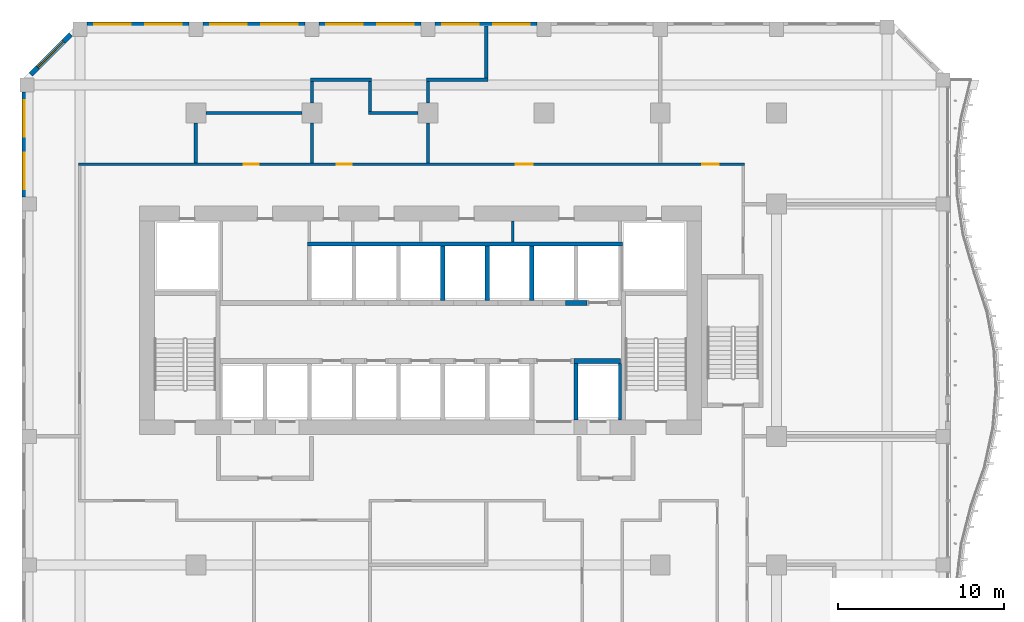
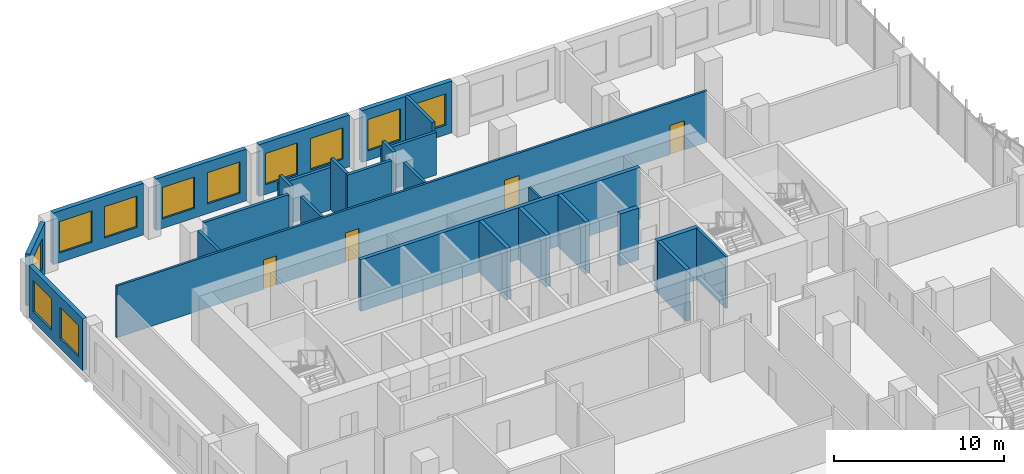
# One storey, part 16 of 26: 27 walls, 11 windows, 4 doors, 15 openings.
"""IFC4 building model written with IfcOpenShell, lengths in metres."""

from ifc_helpers import new_model, si_unit, direction, frame, frame_2d, origin, place, context, subcontext, project, spatial, rectangle, extrude, source, transform, mapped, material, layer, layer_set, type_object, element, fill, save


model = new_model("IFC4")

# Units and contexts
model_context = context("Model", 3, precision=1e-05, world=origin(), true_north=direction((0.0, 1.0)))
body_context = subcontext(model_context, "Body", "Model", "MODEL_VIEW")
ifc_project = project(units=[si_unit("LENGTHUNIT", "METRE"), si_unit("AREAUNIT", "SQUARE_METRE"), si_unit("VOLUMEUNIT", "CUBIC_METRE"), si_unit("PLANEANGLEUNIT", "RADIAN"), si_unit("MASSUNIT", "GRAM", prefix="KILO")], contexts=[model_context])

# Site, building, storey
site_placement = place(None, origin())
site = spatial("IfcSite", under=ifc_project, at=site_placement, CompositionType="ELEMENT")
building_placement = place(site_placement, origin())
building = spatial("IfcBuilding", under=site, at=building_placement, Name="Kilnfold Tower and Market Hall", CompositionType="ELEMENT")
storey_placement = place(building_placement, frame((0.0, 0.0, 104.60009765625)))
storey = spatial("IfcBuildingStorey", under=building, at=storey_placement, Name="L24", CompositionType="ELEMENT", Elevation=104.60009765625)

# Wall, openings, doors
ifc_material_1 = material(Name="Gypsum board on steel studs", Category="steel")
ifc_layer_1 = layer(ifc_material_1, 0.14990234375)
ifc_layer_set_1 = layer_set([ifc_layer_1], Name="Gypsum board on steel studs")
wall_type_1 = type_object("IfcWallType", Name="WALL CORRIDOR 150", PredefinedType="PARTITIONING", material=ifc_layer_set_1)
wall_1_placement = place(storey_placement, frame((-19.574951171875, 24.39990234375, 0.0), z_axis=(0.0, 0.0, 1.0), x_axis=(1.0, 0.0, 0.0)))
wall_1 = element("IfcWall", 1, at=wall_1_placement, inside=storey, type_object=wall_type_1, Name="Partition LY16.35", PredefinedType="PARTITIONING", context=body_context, shape_type="SweptSolid", body=[
    extrude(rectangle(XDim=40.14990234375, YDim=0.14990234375, at=frame_2d((20.074951171875, 0.0))), origin(), (0.0, 0.0, 1.0), 3.719970703125),
])
opening_1_placement = place(wall_1_placement, frame((9.97412109375, 0.0, 0.0)))
opening_1 = element("IfcOpeningElement", 2, at=opening_1_placement, cuts=wall_1, Name="Opening D2", PredefinedType="OPENING", context=body_context, shape_type="SweptSolid", body=[
    extrude(rectangle(XDim=0.89990234375, YDim=2.10009765625, at=frame_2d((0.449951171875, 1.050048828125))), frame((0.0, 0.0849609375, 0.0), z_axis=(0.0, -1.0, 0.0), x_axis=(1.0, 0.0, 0.0)), (0.0, 0.0, 1.0), 0.169921875),
])
opening_2_placement = place(wall_1_placement, frame((15.570068359375, 0.0, 0.0)))
opening_2 = element("IfcOpeningElement", 3, at=opening_2_placement, cuts=wall_1, Name="Opening D3", PredefinedType="OPENING", context=body_context, shape_type="SweptSolid", body=[
    extrude(rectangle(XDim=0.89990234375, YDim=2.10009765625, at=frame_2d((0.449951171875, 1.050048828125))), frame((0.0, 0.0849609375, 0.0), z_axis=(0.0, -1.0, 0.0), x_axis=(1.0, 0.0, 0.0)), (0.0, 0.0, 1.0), 0.169921875),
])
opening_3_placement = place(wall_1_placement, frame((26.373046875, 0.0, 0.0)))
opening_3 = element("IfcOpeningElement", 4, at=opening_3_placement, cuts=wall_1, Name="Opening D1", PredefinedType="OPENING", context=body_context, shape_type="SweptSolid", body=[
    extrude(rectangle(XDim=1.0, YDim=2.10009765625, at=frame_2d((0.5, 1.050048828125))), frame((0.0, 0.0849609375, 0.0), z_axis=(0.0, -1.0, 0.0), x_axis=(1.0, 0.0, 0.0)), (0.0, 0.0, 1.0), 0.169921875),
])
opening_4_placement = place(wall_1_placement, frame((37.618896484375, 0.0, 0.0)))
opening_4 = element("IfcOpeningElement", 5, at=opening_4_placement, cuts=wall_1, Name="Opening D1", PredefinedType="OPENING", context=body_context, shape_type="SweptSolid", body=[
    extrude(rectangle(XDim=1.0, YDim=2.10009765625, at=frame_2d((0.5, 1.050048828125))), frame((0.0, 0.0849609375, 0.0), z_axis=(0.0, -1.0, 0.0), x_axis=(1.0, 0.0, 0.0)), (0.0, 0.0, 1.0), 0.169921875),
])
ifc_material_2 = material(Name="Timber veneer door leaf in steel frame", Category="steel")
door_type_1 = type_object("IfcDoorType", Name="DOOR ENTRY 1000 X2100", OperationType="NOTDEFINED", PredefinedType="DOOR", material=ifc_material_2)
door_1_placement = place(opening_3_placement, origin())
door_1 = element("IfcDoor", 6, at=door_1_placement, inside=storey, type_object=door_type_1, Name="Door D1", OperationType="SINGLE_SWING_RIGHT", OverallHeight=2.10009765625, OverallWidth=1.0, PredefinedType="DOOR", context=body_context, shape_type="SweptSolid", body=[
    extrude(rectangle(XDim=1.0, YDim=2.10009765625, at=frame_2d((0.5, 1.050048828125))), frame((0.0, 0.02490234375, 0.0), z_axis=(0.0, -1.0, 0.0), x_axis=(1.0, 0.0, 0.0)), (0.0, 0.0, 1.0), 0.050048828125),
])
fill(opening_3, door_1)
door_2_placement = place(opening_4_placement, origin())
door_2 = element("IfcDoor", 7, at=door_2_placement, inside=storey, type_object=door_type_1, Name="Door D1", OperationType="SINGLE_SWING_RIGHT", OverallHeight=2.10009765625, OverallWidth=1.0, PredefinedType="DOOR", context=body_context, shape_type="SweptSolid", body=[
    extrude(rectangle(XDim=1.0, YDim=2.10009765625, at=frame_2d((0.5, 1.050048828125))), frame((0.0, 0.02490234375, 0.0), z_axis=(0.0, -1.0, 0.0), x_axis=(1.0, 0.0, 0.0)), (0.0, 0.0, 1.0), 0.050048828125),
])
fill(opening_4, door_2)
ifc_material_3 = material(Name="Timber veneer door leaf in steel frame", Category="steel")
door_type_2 = type_object("IfcDoorType", Name="DOOR ROOM 900 X2100", OperationType="NOTDEFINED", PredefinedType="DOOR", material=ifc_material_3)
door_3_placement = place(opening_1_placement, origin())
door_3 = element("IfcDoor", 8, at=door_3_placement, inside=storey, type_object=door_type_2, Name="Door D2", OperationType="SINGLE_SWING_LEFT", OverallHeight=2.10009765625, OverallWidth=0.89990234375, PredefinedType="DOOR", context=body_context, shape_type="SweptSolid", body=[
    extrude(rectangle(XDim=0.89990234375, YDim=2.10009765625, at=frame_2d((0.449951171875, 1.050048828125))), frame((0.0, 0.02490234375, 0.0), z_axis=(0.0, -1.0, 0.0), x_axis=(1.0, 0.0, 0.0)), (0.0, 0.0, 1.0), 0.050048828125),
])
fill(opening_1, door_3)
ifc_material_4 = material(Name="Timber veneer door leaf in steel frame", Category="steel")
door_type_3 = type_object("IfcDoorType", Name="DOOR WC 900 X2100", OperationType="NOTDEFINED", PredefinedType="DOOR", material=ifc_material_4)
door_4_placement = place(opening_2_placement, origin())
door_4 = element("IfcDoor", 9, at=door_4_placement, inside=storey, type_object=door_type_3, Name="Door D3", OperationType="SINGLE_SWING_LEFT", OverallHeight=2.10009765625, OverallWidth=0.89990234375, PredefinedType="DOOR", context=body_context, shape_type="SweptSolid", body=[
    extrude(rectangle(XDim=0.89990234375, YDim=2.10009765625, at=frame_2d((0.449951171875, 1.050048828125))), frame((0.0, 0.02490234375, 0.0), z_axis=(0.0, -1.0, 0.0), x_axis=(1.0, 0.0, 0.0)), (0.0, 0.0, 1.0), 0.050048828125),
])
fill(opening_2, door_4)

# Walls
ifc_material_5 = material(Name="Gypsum board on steel studs", Category="steel")
ifc_layer_2 = layer(ifc_material_5, 0.199951171875)
ifc_layer_set_2 = layer_set([ifc_layer_2], Name="Gypsum board on steel studs")
wall_type_2 = type_object("IfcWallType", Name="WALL PARTY 200", PredefinedType="PARTITIONING", material=ifc_layer_set_2)
wall_2_placement = place(storey_placement, frame((1.5, 24.47607421875, 0.0), z_axis=(0.0, 0.0, 1.0), x_axis=(0.0, 1.0, 0.0)))
element("IfcWall", 10, at=wall_2_placement, inside=storey, type_object=wall_type_2, Name="Partition LY16.63", PredefinedType="PARTITIONING", context=body_context, shape_type="SweptSolid", body=[
    extrude(rectangle(XDim=2.423828125, YDim=0.199951171875, at=frame_2d((1.2119140625, 0.0))), origin(), (0.0, 0.0, 1.0), 3.719970703125),
])
wall_3_placement = place(storey_placement, frame((1.5, 28.10009765625, 0.0), z_axis=(0.0, 0.0, 1.0), x_axis=(0.0, 1.0, 0.0)))
element("IfcWall", 11, at=wall_3_placement, inside=storey, type_object=wall_type_2, Name="Partition LY16.64", PredefinedType="PARTITIONING", context=body_context, shape_type="SweptSolid", body=[
    extrude(rectangle(XDim=1.2998046875, YDim=0.199951171875, at=frame_2d((0.64990234375, 0.0))), origin(), (0.0, 0.0, 1.0), 3.719970703125),
])
wall_4_placement = place(storey_placement, frame((1.39990234375, 29.5, 0.0), z_axis=(0.0, 0.0, 1.0), x_axis=(1.0, 0.0, 0.0)))
element("IfcWall", 12, at=wall_4_placement, inside=storey, type_object=wall_type_2, Name="Partition LY16.65", PredefinedType="PARTITIONING", context=body_context, shape_type="SweptSolid", body=[
    extrude(rectangle(XDim=3.7001953125, YDim=0.199951171875, at=frame_2d((1.85009765625, 0.0))), origin(), (0.0, 0.0, 1.0), 3.06982421875),
])
wall_5_placement = place(storey_placement, frame((5.0, 29.60009765625, 0.0), z_axis=(0.0, 0.0, 1.0), x_axis=(0.0, 1.0, 0.0)))
element("IfcWall", 13, at=wall_5_placement, inside=storey, type_object=wall_type_2, Name="Partition LY16.66", PredefinedType="PARTITIONING", context=body_context, shape_type="SweptSolid", body=[
    extrude(rectangle(XDim=3.14990234375, YDim=0.199951171875, at=frame_2d((1.574951171875, 0.0))), origin(), (0.0, 0.0, 1.0), 3.719970703125),
])
wall_6_placement = place(storey_placement, frame((-5.5, 24.47607421875, 0.0), z_axis=(0.0, 0.0, 1.0), x_axis=(0.0, 1.0, 0.0)))
element("IfcWall", 14, at=wall_6_placement, inside=storey, type_object=wall_type_2, Name="Partition LY16.67", PredefinedType="PARTITIONING", context=body_context, shape_type="SweptSolid", body=[
    extrude(rectangle(XDim=2.423828125, YDim=0.199951171875, at=frame_2d((1.2119140625, 0.0))), origin(), (0.0, 0.0, 1.0), 3.719970703125),
])
wall_7_placement = place(storey_placement, frame((-2.10009765625, 27.5, 0.0), z_axis=(0.0, 0.0, 1.0), x_axis=(1.0, 0.0, 0.0)))
element("IfcWall", 15, at=wall_7_placement, inside=storey, type_object=wall_type_2, Name="Partition LY16.68", PredefinedType="PARTITIONING", context=body_context, shape_type="SweptSolid", body=[
    extrude(rectangle(XDim=3.0, YDim=0.199951171875, at=frame_2d((1.5, 0.0))), origin(), (0.0, 0.0, 1.0), 3.719970703125),
])
wall_8_placement = place(storey_placement, frame((-5.5, 28.10009765625, 0.0), z_axis=(0.0, 0.0, 1.0), x_axis=(0.0, 1.0, 0.0)))
element("IfcWall", 16, at=wall_8_placement, inside=storey, type_object=wall_type_2, Name="Partition LY16.69", PredefinedType="PARTITIONING", context=body_context, shape_type="SweptSolid", body=[
    extrude(rectangle(XDim=1.2998046875, YDim=0.199951171875, at=frame_2d((0.64990234375, 0.0))), origin(), (0.0, 0.0, 1.0), 3.719970703125),
])
wall_9_placement = place(storey_placement, frame((-5.60009765625, 29.5, 0.0), z_axis=(0.0, 0.0, 1.0), x_axis=(1.0, 0.0, 0.0)))
element("IfcWall", 17, at=wall_9_placement, inside=storey, type_object=wall_type_2, Name="Partition LY16.70", PredefinedType="PARTITIONING", context=body_context, shape_type="SweptSolid", body=[
    extrude(rectangle(XDim=3.7001953125, YDim=0.199951171875, at=frame_2d((1.85009765625, 0.0))), origin(), (0.0, 0.0, 1.0), 3.06982421875),
])
wall_10_placement = place(storey_placement, frame((-2.0, 27.60009765625, 0.0), z_axis=(0.0, 0.0, 1.0), x_axis=(0.0, 1.0, 0.0)))
element("IfcWall", 18, at=wall_10_placement, inside=storey, type_object=wall_type_2, Name="Partition LY16.71", PredefinedType="PARTITIONING", context=body_context, shape_type="SweptSolid", body=[
    extrude(rectangle(XDim=1.7998046875, YDim=0.199951171875, at=frame_2d((0.89990234375, 0.0))), origin(), (0.0, 0.0, 1.0), 3.719970703125),
])
wall_11_placement = place(storey_placement, frame((-12.5, 26.89990234375, 0.0), z_axis=(0.0, 0.0, 1.0), x_axis=(0.0, -1.0, 0.0)))
element("IfcWall", 19, at=wall_11_placement, inside=storey, type_object=wall_type_2, Name="Partition LY16.72", PredefinedType="PARTITIONING", context=body_context, shape_type="SweptSolid", body=[
    extrude(rectangle(XDim=2.423828125, YDim=0.199951171875, at=frame_2d((1.2119140625, 0.0))), origin(), (0.0, 0.0, 1.0), 3.719970703125),
])
wall_12_placement = place(storey_placement, frame((-11.89990234375, 27.5, 0.0), z_axis=(0.0, 0.0, 1.0), x_axis=(1.0, 0.0, 0.0)))
element("IfcWall", 20, at=wall_12_placement, inside=storey, type_object=wall_type_2, Name="Partition LY16.73", PredefinedType="PARTITIONING", context=body_context, shape_type="SweptSolid", body=[
    extrude(rectangle(XDim=5.7998046875, YDim=0.199951171875, at=frame_2d((2.89990234375, 0.0))), origin(), (0.0, 0.0, 1.0), 3.719970703125),
])
ifc_material_6 = material(Name="Concrete C70", Category="concrete")
ifc_layer_3 = layer(ifc_material_6, 0.300048828125)
ifc_layer_set_3 = layer_set([ifc_layer_3], Name="Concrete C70")
wall_type_3 = type_object("IfcWallType", Name="CORE WALL 300 C70", PredefinedType="SHEAR", material=ifc_layer_set_3)
shared_shape_1 = source(origin(), body_context, "Body", "SweptSolid", [
    extrude(rectangle(XDim=1.280029296875, YDim=0.300048828125, at=frame_2d((0.64013671875, 0.0))), origin(), (0.0, 0.0, 1.0), 3.719970703125),
])
wall_13_placement = place(storey_placement, frame((9.7900390625, 16.050048828125, 0.0), z_axis=(0.0, 0.0, 1.0), x_axis=(1.0, 0.0, 0.0)))
element("IfcWall", 21, at=wall_13_placement, inside=storey, type_object=wall_type_3, Name="Core spine wall", PredefinedType="SHEAR", context=body_context, shape_type="MappedRepresentation", body=[
    mapped(shared_shape_1, transform((0.0, 0.0, 0.0))),
])
shared_shape_2 = source(origin(), body_context, "Body", "SweptSolid", [
    extrude(rectangle(XDim=2.820068359375, YDim=0.300048828125, at=frame_2d((1.41015625, 0.0))), origin(), (0.0, 0.0, 1.0), 3.719970703125),
])
wall_14_placement = place(storey_placement, frame((10.2900390625, 12.550048828125, 0.0), z_axis=(0.0, 0.0, 1.0), x_axis=(1.0, 0.0, 0.0)))
element("IfcWall", 22, at=wall_14_placement, inside=storey, type_object=wall_type_3, Name="Core spine wall", PredefinedType="SHEAR", context=body_context, shape_type="MappedRepresentation", body=[
    mapped(shared_shape_2, transform((0.0, 0.0, 0.0))),
])

# Wall, opening, window
ifc_material_7 = material(Name="Precast concrete C50/60", Category="concrete")
ifc_layer_4 = layer(ifc_material_7, 0.300048828125)
ifc_layer_set_4 = layer_set([ifc_layer_4], Name="Precast concrete C50/60")
wall_type_4 = type_object("IfcWallType", Name="PRECAST WALL 300", PredefinedType="SOLIDWALL", material=ifc_layer_set_4)
shared_shape_3 = source(origin(), body_context, "Body", "SweptSolid", [
    extrude(rectangle(XDim=3.429443359375, YDim=0.300048828125, at=frame_2d((1.71484375, 0.0))), origin(), (0.0, 0.0, 1.0), 3.719970703125),
])
wall_15_placement = place(storey_placement, frame((-20.0439453125, 32.243896484375, 0.0), z_axis=(0.0, 0.0, 1.0), x_axis=(-0.707106781187, -0.707106781187, 0.0)))
wall_15 = element("IfcWall", 23, at=wall_15_placement, inside=storey, type_object=wall_type_4, Name="External wall L24 NW", PredefinedType="SOLIDWALL", context=body_context, shape_type="MappedRepresentation", body=[
    mapped(shared_shape_3, transform((0.0, 0.0, 0.0))),
])
opening_5_placement = place(wall_15_placement, frame((0.61474609375, 0.0, 0.699951171875)))
opening_5 = element("IfcOpeningElement", 24, at=opening_5_placement, cuts=wall_15, Name="Opening W1", PredefinedType="OPENING", context=body_context, shape_type="SweptSolid", body=[
    extrude(rectangle(XDim=2.199951171875, YDim=2.25, at=frame_2d((1.10009765625, 1.125))), frame((0.0, 0.16015625, 0.0), z_axis=(0.0, -1.0, 0.0), x_axis=(1.0, 0.0, 0.0)), (0.0, 0.0, 1.0), 0.320068359375),
])
ifc_material_8 = material(Name="Aluminium frame and double glazing", Category="aluminium")
window_type = type_object("IfcWindowType", Name="WINDOW W1 2200X2250", PartitioningType="SINGLE_PANEL", PredefinedType="WINDOW", material=ifc_material_8)
window_1_placement = place(opening_5_placement, origin())
window_1 = element("IfcWindow", 25, at=window_1_placement, inside=storey, type_object=window_type, Name="Window W1 L24 NW-1", OverallHeight=2.25, OverallWidth=2.199951171875, PartitioningType="SINGLE_PANEL", PredefinedType="WINDOW", context=body_context, shape_type="SweptSolid", body=[
    extrude(rectangle(XDim=2.199951171875, YDim=2.25, at=frame_2d((1.10009765625, 1.125))), frame((0.0, 0.030029296875, 0.0), z_axis=(0.0, -1.0, 0.0), x_axis=(1.0, 0.0, 0.0)), (0.0, 0.0, 1.0), 0.06005859375),
])
fill(opening_5, window_1)

# Wall, openings, windows
shared_shape_4 = source(origin(), body_context, "Body", "SweptSolid", [
    extrude(rectangle(XDim=6.14990234375, YDim=0.300048828125, at=frame_2d((3.074951171875, 0.0))), origin(), (0.0, 0.0, 1.0), 3.719970703125),
])
wall_16_placement = place(storey_placement, frame((8.074951171875, 32.85009765625, 0.0), z_axis=(0.0, 0.0, 1.0), x_axis=(-1.0, 0.0, 0.0)))
wall_16 = element("IfcWall", 26, at=wall_16_placement, inside=storey, type_object=wall_type_4, Name="External wall L24 N", PredefinedType="SOLIDWALL", context=body_context, shape_type="MappedRepresentation", body=[
    mapped(shared_shape_4, transform((0.0, 0.0, 0.0))),
])
opening_6_placement = place(wall_16_placement, frame((0.4375, 0.0, 0.699951171875)))
opening_6 = element("IfcOpeningElement", 27, at=opening_6_placement, cuts=wall_16, Name="Opening W1", PredefinedType="OPENING", context=body_context, shape_type="SweptSolid", body=[
    extrude(rectangle(XDim=2.199951171875, YDim=2.25, at=frame_2d((1.10009765625, 1.125))), frame((0.0, 0.16015625, 0.0), z_axis=(0.0, -1.0, 0.0), x_axis=(1.0, 0.0, 0.0)), (0.0, 0.0, 1.0), 0.320068359375),
])
opening_7_placement = place(wall_16_placement, frame((3.512451171875, 0.0, 0.699951171875)))
opening_7 = element("IfcOpeningElement", 28, at=opening_7_placement, cuts=wall_16, Name="Opening W1", PredefinedType="OPENING", context=body_context, shape_type="SweptSolid", body=[
    extrude(rectangle(XDim=2.199951171875, YDim=2.25, at=frame_2d((1.10009765625, 1.125))), frame((0.0, 0.16015625, 0.0), z_axis=(0.0, -1.0, 0.0), x_axis=(1.0, 0.0, 0.0)), (0.0, 0.0, 1.0), 0.320068359375),
])
window_2_placement = place(opening_6_placement, origin())
window_2 = element("IfcWindow", 29, at=window_2_placement, inside=storey, type_object=window_type, Name="Window W1 L24 N-1", OverallHeight=2.25, OverallWidth=2.199951171875, PartitioningType="SINGLE_PANEL", PredefinedType="WINDOW", context=body_context, shape_type="SweptSolid", body=[
    extrude(rectangle(XDim=2.199951171875, YDim=2.25, at=frame_2d((1.10009765625, 1.125))), frame((0.0, 0.030029296875, 0.0), z_axis=(0.0, -1.0, 0.0), x_axis=(1.0, 0.0, 0.0)), (0.0, 0.0, 1.0), 0.06005859375),
])
fill(opening_6, window_2)
window_3_placement = place(opening_7_placement, origin())
window_3 = element("IfcWindow", 30, at=window_3_placement, inside=storey, type_object=window_type, Name="Window W1 L24 N-2", OverallHeight=2.25, OverallWidth=2.199951171875, PartitioningType="SINGLE_PANEL", PredefinedType="WINDOW", context=body_context, shape_type="SweptSolid", body=[
    extrude(rectangle(XDim=2.199951171875, YDim=2.25, at=frame_2d((1.10009765625, 1.125))), frame((0.0, 0.030029296875, 0.0), z_axis=(0.0, -1.0, 0.0), x_axis=(1.0, 0.0, 0.0)), (0.0, 0.0, 1.0), 0.06005859375),
])
fill(opening_7, window_3)

wall_17_placement = place(storey_placement, frame((1.074951171875, 32.85009765625, 0.0), z_axis=(0.0, 0.0, 1.0), x_axis=(-1.0, 0.0, 0.0)))
wall_17 = element("IfcWall", 31, at=wall_17_placement, inside=storey, type_object=wall_type_4, Name="External wall L24 N", PredefinedType="SOLIDWALL", context=body_context, shape_type="MappedRepresentation", body=[
    mapped(shared_shape_4, transform((0.0, 0.0, 0.0))),
])
opening_8_placement = place(wall_17_placement, frame((0.4375, 0.0, 0.699951171875)))
opening_8 = element("IfcOpeningElement", 32, at=opening_8_placement, cuts=wall_17, Name="Opening W1", PredefinedType="OPENING", context=body_context, shape_type="SweptSolid", body=[
    extrude(rectangle(XDim=2.199951171875, YDim=2.25, at=frame_2d((1.10009765625, 1.125))), frame((0.0, 0.16015625, 0.0), z_axis=(0.0, -1.0, 0.0), x_axis=(1.0, 0.0, 0.0)), (0.0, 0.0, 1.0), 0.320068359375),
])
opening_9_placement = place(wall_17_placement, frame((3.512451171875, 0.0, 0.699951171875)))
opening_9 = element("IfcOpeningElement", 33, at=opening_9_placement, cuts=wall_17, Name="Opening W1", PredefinedType="OPENING", context=body_context, shape_type="SweptSolid", body=[
    extrude(rectangle(XDim=2.199951171875, YDim=2.25, at=frame_2d((1.10009765625, 1.125))), frame((0.0, 0.16015625, 0.0), z_axis=(0.0, -1.0, 0.0), x_axis=(1.0, 0.0, 0.0)), (0.0, 0.0, 1.0), 0.320068359375),
])
window_4_placement = place(opening_8_placement, origin())
window_4 = element("IfcWindow", 34, at=window_4_placement, inside=storey, type_object=window_type, Name="Window W1 L24 N-1", OverallHeight=2.25, OverallWidth=2.199951171875, PartitioningType="SINGLE_PANEL", PredefinedType="WINDOW", context=body_context, shape_type="SweptSolid", body=[
    extrude(rectangle(XDim=2.199951171875, YDim=2.25, at=frame_2d((1.10009765625, 1.125))), frame((0.0, 0.030029296875, 0.0), z_axis=(0.0, -1.0, 0.0), x_axis=(1.0, 0.0, 0.0)), (0.0, 0.0, 1.0), 0.06005859375),
])
fill(opening_8, window_4)
window_5_placement = place(opening_9_placement, origin())
window_5 = element("IfcWindow", 35, at=window_5_placement, inside=storey, type_object=window_type, Name="Window W1 L24 N-2", OverallHeight=2.25, OverallWidth=2.199951171875, PartitioningType="SINGLE_PANEL", PredefinedType="WINDOW", context=body_context, shape_type="SweptSolid", body=[
    extrude(rectangle(XDim=2.199951171875, YDim=2.25, at=frame_2d((1.10009765625, 1.125))), frame((0.0, 0.030029296875, 0.0), z_axis=(0.0, -1.0, 0.0), x_axis=(1.0, 0.0, 0.0)), (0.0, 0.0, 1.0), 0.06005859375),
])
fill(opening_9, window_5)

wall_18_placement = place(storey_placement, frame((-5.925048828125, 32.85009765625, 0.0), z_axis=(0.0, 0.0, 1.0), x_axis=(-1.0, 0.0, 0.0)))
wall_18 = element("IfcWall", 36, at=wall_18_placement, inside=storey, type_object=wall_type_4, Name="External wall L24 N", PredefinedType="SOLIDWALL", context=body_context, shape_type="MappedRepresentation", body=[
    mapped(shared_shape_4, transform((0.0, 0.0, 0.0))),
])
opening_10_placement = place(wall_18_placement, frame((0.4375, 0.0, 0.699951171875)))
opening_10 = element("IfcOpeningElement", 37, at=opening_10_placement, cuts=wall_18, Name="Opening W1", PredefinedType="OPENING", context=body_context, shape_type="SweptSolid", body=[
    extrude(rectangle(XDim=2.199951171875, YDim=2.25, at=frame_2d((1.10009765625, 1.125))), frame((0.0, 0.16015625, 0.0), z_axis=(0.0, -1.0, 0.0), x_axis=(1.0, 0.0, 0.0)), (0.0, 0.0, 1.0), 0.320068359375),
])
opening_11_placement = place(wall_18_placement, frame((3.512451171875, 0.0, 0.699951171875)))
opening_11 = element("IfcOpeningElement", 38, at=opening_11_placement, cuts=wall_18, Name="Opening W1", PredefinedType="OPENING", context=body_context, shape_type="SweptSolid", body=[
    extrude(rectangle(XDim=2.199951171875, YDim=2.25, at=frame_2d((1.10009765625, 1.125))), frame((0.0, 0.16015625, 0.0), z_axis=(0.0, -1.0, 0.0), x_axis=(1.0, 0.0, 0.0)), (0.0, 0.0, 1.0), 0.320068359375),
])
window_6_placement = place(opening_10_placement, origin())
window_6 = element("IfcWindow", 39, at=window_6_placement, inside=storey, type_object=window_type, Name="Window W1 L24 N-1", OverallHeight=2.25, OverallWidth=2.199951171875, PartitioningType="SINGLE_PANEL", PredefinedType="WINDOW", context=body_context, shape_type="SweptSolid", body=[
    extrude(rectangle(XDim=2.199951171875, YDim=2.25, at=frame_2d((1.10009765625, 1.125))), frame((0.0, 0.030029296875, 0.0), z_axis=(0.0, -1.0, 0.0), x_axis=(1.0, 0.0, 0.0)), (0.0, 0.0, 1.0), 0.06005859375),
])
fill(opening_10, window_6)
window_7_placement = place(opening_11_placement, origin())
window_7 = element("IfcWindow", 40, at=window_7_placement, inside=storey, type_object=window_type, Name="Window W1 L24 N-2", OverallHeight=2.25, OverallWidth=2.199951171875, PartitioningType="SINGLE_PANEL", PredefinedType="WINDOW", context=body_context, shape_type="SweptSolid", body=[
    extrude(rectangle(XDim=2.199951171875, YDim=2.25, at=frame_2d((1.10009765625, 1.125))), frame((0.0, 0.030029296875, 0.0), z_axis=(0.0, -1.0, 0.0), x_axis=(1.0, 0.0, 0.0)), (0.0, 0.0, 1.0), 0.06005859375),
])
fill(opening_11, window_7)

wall_19_placement = place(storey_placement, frame((-12.925048828125, 32.85009765625, 0.0), z_axis=(0.0, 0.0, 1.0), x_axis=(-1.0, 0.0, 0.0)))
wall_19 = element("IfcWall", 41, at=wall_19_placement, inside=storey, type_object=wall_type_4, Name="External wall L24 N", PredefinedType="SOLIDWALL", context=body_context, shape_type="MappedRepresentation", body=[
    mapped(shared_shape_4, transform((0.0, 0.0, 0.0))),
])
opening_12_placement = place(wall_19_placement, frame((0.4375, 0.0, 0.699951171875)))
opening_12 = element("IfcOpeningElement", 42, at=opening_12_placement, cuts=wall_19, Name="Opening W1", PredefinedType="OPENING", context=body_context, shape_type="SweptSolid", body=[
    extrude(rectangle(XDim=2.199951171875, YDim=2.25, at=frame_2d((1.10009765625, 1.125))), frame((0.0, 0.16015625, 0.0), z_axis=(0.0, -1.0, 0.0), x_axis=(1.0, 0.0, 0.0)), (0.0, 0.0, 1.0), 0.320068359375),
])
opening_13_placement = place(wall_19_placement, frame((3.512451171875, 0.0, 0.699951171875)))
opening_13 = element("IfcOpeningElement", 43, at=opening_13_placement, cuts=wall_19, Name="Opening W1", PredefinedType="OPENING", context=body_context, shape_type="SweptSolid", body=[
    extrude(rectangle(XDim=2.199951171875, YDim=2.25, at=frame_2d((1.10009765625, 1.125))), frame((0.0, 0.16015625, 0.0), z_axis=(0.0, -1.0, 0.0), x_axis=(1.0, 0.0, 0.0)), (0.0, 0.0, 1.0), 0.320068359375),
])
window_8_placement = place(opening_12_placement, origin())
window_8 = element("IfcWindow", 44, at=window_8_placement, inside=storey, type_object=window_type, Name="Window W1 L24 N-1", OverallHeight=2.25, OverallWidth=2.199951171875, PartitioningType="SINGLE_PANEL", PredefinedType="WINDOW", context=body_context, shape_type="SweptSolid", body=[
    extrude(rectangle(XDim=2.199951171875, YDim=2.25, at=frame_2d((1.10009765625, 1.125))), frame((0.0, 0.030029296875, 0.0), z_axis=(0.0, -1.0, 0.0), x_axis=(1.0, 0.0, 0.0)), (0.0, 0.0, 1.0), 0.06005859375),
])
fill(opening_12, window_8)
window_9_placement = place(opening_13_placement, origin())
window_9 = element("IfcWindow", 45, at=window_9_placement, inside=storey, type_object=window_type, Name="Window W1 L24 N-2", OverallHeight=2.25, OverallWidth=2.199951171875, PartitioningType="SINGLE_PANEL", PredefinedType="WINDOW", context=body_context, shape_type="SweptSolid", body=[
    extrude(rectangle(XDim=2.199951171875, YDim=2.25, at=frame_2d((1.10009765625, 1.125))), frame((0.0, 0.030029296875, 0.0), z_axis=(0.0, -1.0, 0.0), x_axis=(1.0, 0.0, 0.0)), (0.0, 0.0, 1.0), 0.06005859375),
])
fill(opening_13, window_9)

shared_shape_5 = source(origin(), body_context, "Body", "SweptSolid", [
    extrude(rectangle(XDim=6.331787109375, YDim=0.300048828125, at=frame_2d((3.166015625, 0.0))), origin(), (0.0, 0.0, 1.0), 3.719970703125),
])
wall_20_placement = place(storey_placement, frame((-22.85009765625, 28.7568359375, 0.0), z_axis=(0.0, 0.0, 1.0), x_axis=(0.0, -1.0, 0.0)))
wall_20 = element("IfcWall", 46, at=wall_20_placement, inside=storey, type_object=wall_type_4, Name="External wall L24 W", PredefinedType="SOLIDWALL", context=body_context, shape_type="MappedRepresentation", body=[
    mapped(shared_shape_5, transform((0.0, 0.0, 0.0))),
])
opening_14_placement = place(wall_20_placement, frame((0.48291015625, 0.0, 0.699951171875)))
opening_14 = element("IfcOpeningElement", 47, at=opening_14_placement, cuts=wall_20, Name="Opening W1", PredefinedType="OPENING", context=body_context, shape_type="SweptSolid", body=[
    extrude(rectangle(XDim=2.199951171875, YDim=2.25, at=frame_2d((1.10009765625, 1.125))), frame((0.0, 0.16015625, 0.0), z_axis=(0.0, -1.0, 0.0), x_axis=(1.0, 0.0, 0.0)), (0.0, 0.0, 1.0), 0.320068359375),
])
opening_15_placement = place(wall_20_placement, frame((3.648681640625, 0.0, 0.699951171875)))
opening_15 = element("IfcOpeningElement", 48, at=opening_15_placement, cuts=wall_20, Name="Opening W1", PredefinedType="OPENING", context=body_context, shape_type="SweptSolid", body=[
    extrude(rectangle(XDim=2.199951171875, YDim=2.25, at=frame_2d((1.10009765625, 1.125))), frame((0.0, 0.16015625, 0.0), z_axis=(0.0, -1.0, 0.0), x_axis=(1.0, 0.0, 0.0)), (0.0, 0.0, 1.0), 0.320068359375),
])
window_10_placement = place(opening_14_placement, origin())
window_10 = element("IfcWindow", 49, at=window_10_placement, inside=storey, type_object=window_type, Name="Window W1 L24 W-1", OverallHeight=2.25, OverallWidth=2.199951171875, PartitioningType="SINGLE_PANEL", PredefinedType="WINDOW", context=body_context, shape_type="SweptSolid", body=[
    extrude(rectangle(XDim=2.199951171875, YDim=2.25, at=frame_2d((1.10009765625, 1.125))), frame((0.0, 0.030029296875, 0.0), z_axis=(0.0, -1.0, 0.0), x_axis=(1.0, 0.0, 0.0)), (0.0, 0.0, 1.0), 0.06005859375),
])
fill(opening_14, window_10)
window_11_placement = place(opening_15_placement, origin())
window_11 = element("IfcWindow", 50, at=window_11_placement, inside=storey, type_object=window_type, Name="Window W1 L24 W-2", OverallHeight=2.25, OverallWidth=2.199951171875, PartitioningType="SINGLE_PANEL", PredefinedType="WINDOW", context=body_context, shape_type="SweptSolid", body=[
    extrude(rectangle(XDim=2.199951171875, YDim=2.25, at=frame_2d((1.10009765625, 1.125))), frame((0.0, 0.030029296875, 0.0), z_axis=(0.0, -1.0, 0.0), x_axis=(1.0, 0.0, 0.0)), (0.0, 0.0, 1.0), 0.06005859375),
])
fill(opening_15, window_11)

# Walls
ifc_material_9 = material(Name="Gypsum shaft wall system")
ifc_layer_5 = layer(ifc_material_9, 0.25)
ifc_layer_set_5 = layer_set([ifc_layer_5], Name="Gypsum shaft wall system")
wall_type_5 = type_object("IfcWallType", Name="SHAFT WALL 250", PredefinedType="PARTITIONING", material=ifc_layer_set_5)
shared_shape_6 = source(origin(), body_context, "Body", "SweptSolid", [
    extrude(rectangle(XDim=3.275146484375, YDim=0.25, at=frame_2d((1.6376953125, 0.0))), origin(), (0.0, 0.0, 1.0), 3.719970703125),
])
for number, where, z_axis, x_axis, name in (
    (51, (2.389892578125, 16.199951171875, 0.0), (0.0, 0.0, 1.0), (0.0, 1.0, 0.0), "Lift shaft wall"),
    (52, (5.070068359375, 16.199951171875, 0.0), (0.0, 0.0, 1.0), (0.0, 1.0, 0.0), "Lift shaft wall"),
    (53, (7.75, 16.199951171875, 0.0), (0.0, 0.0, 1.0), (0.0, 1.0, 0.0), "Lift shaft wall"),
):
    element("IfcWall", number, at=place(storey_placement, frame(where, z_axis=z_axis, x_axis=x_axis)), inside=storey, type_object=wall_type_5, Name=name, PredefinedType="PARTITIONING", context=body_context, shape_type="MappedRepresentation", body=[
        mapped(shared_shape_6, transform((0.0, 0.0, 0.0))),
    ])
shared_shape_7 = source(origin(), body_context, "Body", "SweptSolid", [
    extrude(rectangle(XDim=3.39990234375, YDim=0.25, at=frame_2d((1.699951171875, 0.0))), origin(), (0.0, 0.0, 1.0), 3.719970703125),
])
wall_21_placement = place(storey_placement, frame((10.429931640625, 9.0, 0.0), z_axis=(0.0, 0.0, 1.0), x_axis=(0.0, 1.0, 0.0)))
element("IfcWall", 54, at=wall_21_placement, inside=storey, type_object=wall_type_5, Name="Lift shaft wall", PredefinedType="PARTITIONING", context=body_context, shape_type="MappedRepresentation", body=[
    mapped(shared_shape_7, transform((0.0, 0.0, 0.0))),
])
ifc_material_10 = material(Name="Gypsum shaft wall system")
ifc_layer_6 = layer(ifc_material_10, 0.1650390625)
ifc_layer_set_6 = layer_set([ifc_layer_6], Name="Gypsum shaft wall system")
wall_type_6 = type_object("IfcWallType", Name="SHAFT WALL 165", PredefinedType="PARTITIONING", material=ifc_layer_set_6)
shared_shape_8 = source(origin(), body_context, "Body", "SweptSolid", [
    extrude(rectangle(XDim=3.39990234375, YDim=0.1650390625, at=frame_2d((1.699951171875, 0.0))), origin(), (0.0, 0.0, 1.0), 3.719970703125),
])
wall_22_placement = place(storey_placement, frame((13.0673828125, 9.0, 0.0), z_axis=(0.0, 0.0, 1.0), x_axis=(0.0, 1.0, 0.0)))
element("IfcWall", 55, at=wall_22_placement, inside=storey, type_object=wall_type_6, Name="Lift shaft wall", PredefinedType="PARTITIONING", context=body_context, shape_type="MappedRepresentation", body=[
    mapped(shared_shape_8, transform((0.0, 0.0, 0.0))),
])
ifc_material_11 = material(Name="Gypsum shaft wall system")
ifc_layer_7 = layer(ifc_material_11, 0.14990234375)
ifc_layer_set_7 = layer_set([ifc_layer_7], Name="Gypsum shaft wall system")
wall_type_7 = type_object("IfcWallType", Name="ROOM WALL 150", PredefinedType="PARTITIONING", material=ifc_layer_set_7)
shared_shape_9 = source(origin(), body_context, "Body", "SweptSolid", [
    extrude(rectangle(XDim=1.27490234375, YDim=0.14990234375, at=frame_2d((0.637451171875, 0.0))), origin(), (0.0, 0.0, 1.0), 3.719970703125),
])
wall_23_placement = place(storey_placement, frame((6.59765625, 19.72509765625, 0.0), z_axis=(0.0, 0.0, 1.0), x_axis=(0.0, 1.0, 0.0)))
element("IfcWall", 56, at=wall_23_placement, inside=storey, type_object=wall_type_7, Name="Core room wall", PredefinedType="PARTITIONING", context=body_context, shape_type="MappedRepresentation", body=[
    mapped(shared_shape_9, transform((0.0, 0.0, 0.0))),
])
shared_shape_10 = source(origin(), body_context, "Body", "SweptSolid", [
    extrude(rectangle(XDim=19.010009765625, YDim=0.25, at=frame_2d((9.5048828125, 0.0))), origin(), (0.0, 0.0, 1.0), 3.719970703125),
])
wall_24_placement = place(storey_placement, frame((-5.77490234375, 19.60009765625, 0.0), z_axis=(0.0, 0.0, 1.0), x_axis=(1.0, 0.0, 0.0)))
element("IfcWall", 57, at=wall_24_placement, inside=storey, type_object=wall_type_5, Name="Lift shaft wall", PredefinedType="PARTITIONING", context=body_context, shape_type="MappedRepresentation", body=[
    mapped(shared_shape_10, transform((0.0, 0.0, 0.0))),
])

save(model, "model.ifc")
